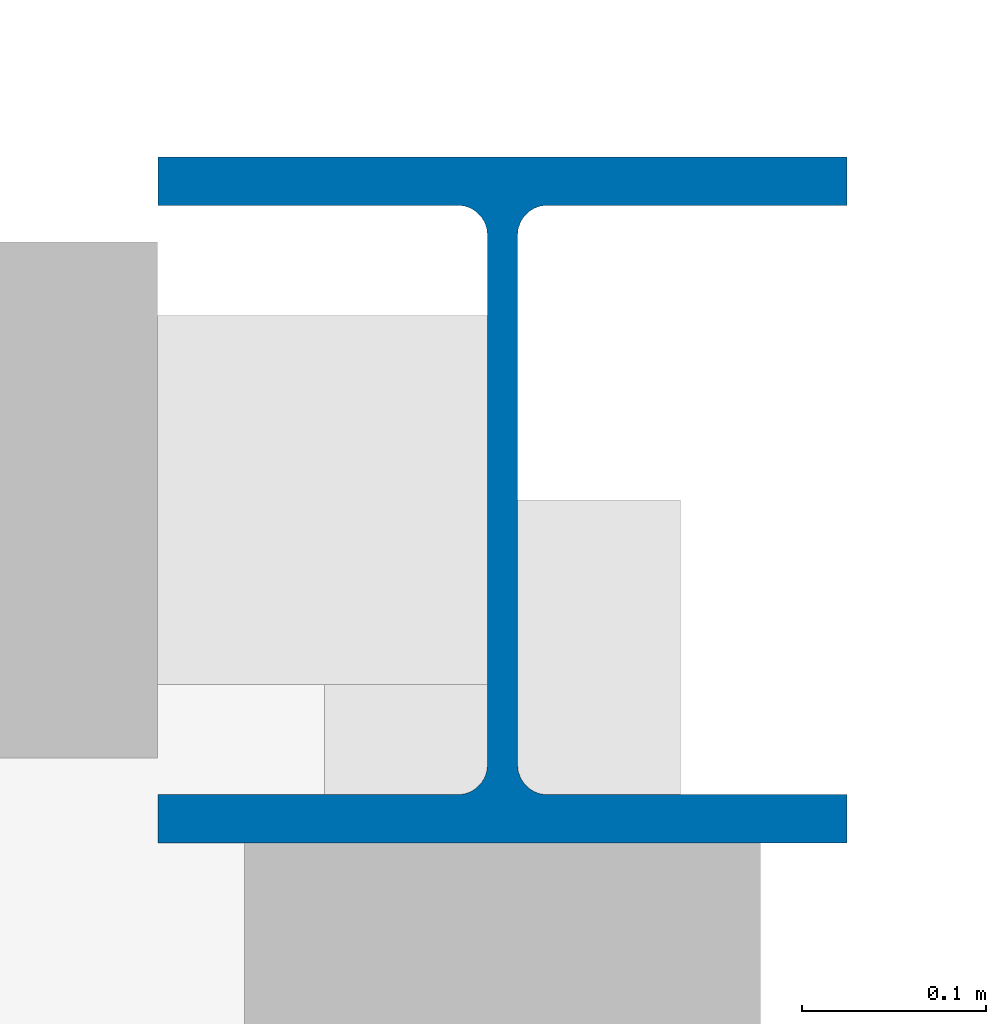
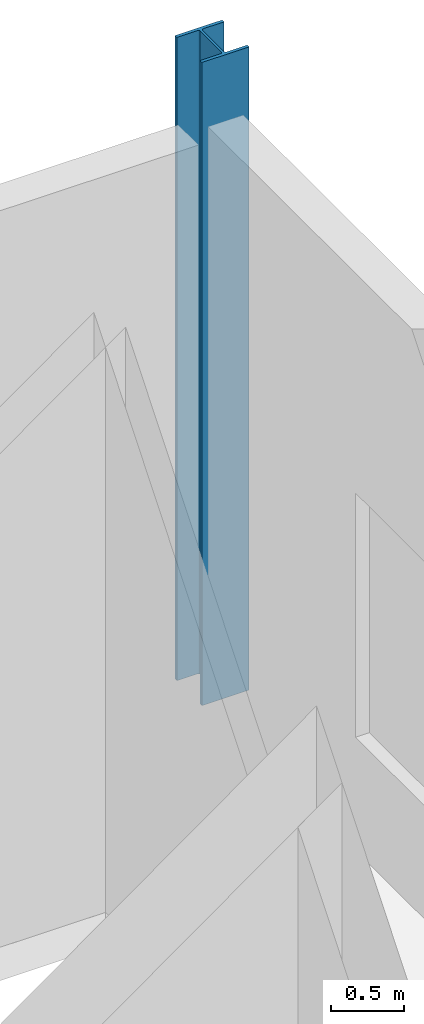
# One storey, part 27 of 94: 1 column.
"""IFC4 building model written with IfcOpenShell, lengths in metres."""

from ifc_helpers import new_model, si_unit, direction, frame, origin, origin_2d, place, context, subcontext, project, spatial, i_section, extrude, material, material_profile, profile_set, type_object, element, save


model = new_model("IFC4")

# Units and contexts
model_context = context("Model", 3, precision=1e-05, world=origin(), true_north=direction((0.0, 1.0)))
body_context = subcontext(model_context, "Body", "Model", "MODEL_VIEW")
ifc_project = project(units=[si_unit("LENGTHUNIT", "METRE"), si_unit("AREAUNIT", "SQUARE_METRE"), si_unit("VOLUMEUNIT", "CUBIC_METRE"), si_unit("PLANEANGLEUNIT", "RADIAN"), si_unit("MASSUNIT", "GRAM", prefix="KILO")], contexts=[model_context])

# Site, building, storey
site_placement = place(None, origin())
site = spatial("IfcSite", under=ifc_project, at=site_placement, CompositionType="ELEMENT")
building_placement = place(site_placement, origin())
building = spatial("IfcBuilding", under=site, at=building_placement, Name="Qamarlyn Nura Convention Centre", CompositionType="ELEMENT")
storey_placement = place(building_placement, origin())
storey = spatial("IfcBuildingStorey", under=building, at=storey_placement, Name="L00", CompositionType="ELEMENT", Elevation=0.0)

# Column
ifc_material = material(Name="Steel ASTM A992", Category="steel")
ifc_material_profile = material_profile(ifc_material, i_section(OverallWidth=0.3740234375, OverallDepth=0.3720703125, WebThickness=0.016357421875, FlangeThickness=0.026123046875, FilletRadius=0.01611328125, at=origin_2d()), Name="W360X196")
ifc_profile_set = profile_set([ifc_material_profile], Name="Steel ASTM A992")
column_type = type_object("IfcColumnType", Name="COL-WING-2", PredefinedType="COLUMN", material=ifc_profile_set)
column_placement = place(storey_placement, frame((192.0, 126.0, 0.0), z_axis=(0.0, 0.0, 1.0), x_axis=(1.0, 0.0, 0.0)))
element("IfcColumn", 1, at=column_placement, inside=storey, type_object=column_type, Name="L00 column 18/Q", PredefinedType="COLUMN", context=body_context, shape_type="SweptSolid", body=[
    extrude(i_section(OverallWidth=0.3740234375, OverallDepth=0.3720703125, WebThickness=0.016357421875, FlangeThickness=0.026123046875, FilletRadius=0.01611328125, at=origin_2d()), origin(), (0.0, 0.0, 1.0), 5.39990234375),
])

save(model, "model.ifc")
